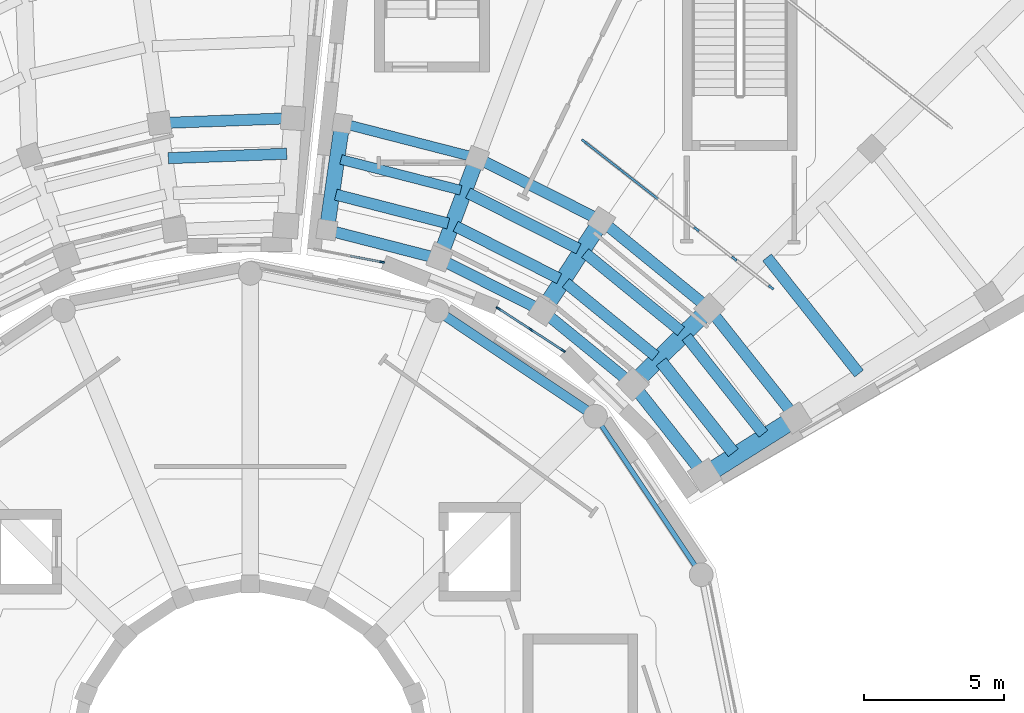
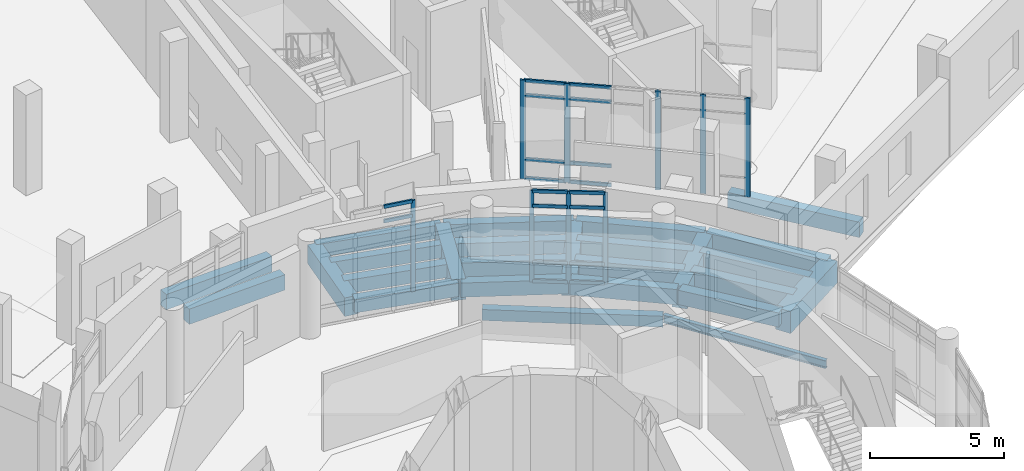
# One storey, part 16 of 49: 27 members, 26 beams, 3 elements without a shape of their own.
"""IFC4 building model written with IfcOpenShell, lengths in metres."""

from ifc_helpers import new_model, si_unit, direction, frame, origin, origin_2d, place, context, subcontext, project, spatial, rectangle, i_section, extrude, material, material_profile, profile_set, type_object, element, aggregate, save


model = new_model("IFC4")

# Units and contexts
model_context = context("Model", 3, precision=1e-05, world=origin(), true_north=direction((0.0, 1.0)))
body_context = subcontext(model_context, "Body", "Model", "MODEL_VIEW")
ifc_project = project(units=[si_unit("LENGTHUNIT", "METRE"), si_unit("AREAUNIT", "SQUARE_METRE"), si_unit("VOLUMEUNIT", "CUBIC_METRE"), si_unit("PLANEANGLEUNIT", "RADIAN"), si_unit("MASSUNIT", "GRAM", prefix="KILO")], contexts=[model_context])

# Site, building, storey
site_placement = place(None, origin())
site = spatial("IfcSite", under=ifc_project, at=site_placement, CompositionType="ELEMENT")
building_placement = place(site_placement, origin())
building = spatial("IfcBuilding", under=site, at=building_placement, Name="Soyqirgoq Riverine Aquarium", CompositionType="ELEMENT")
storey_placement = place(building_placement, frame((0.0, 0.0, 15.0)))
storey = spatial("IfcBuildingStorey", under=building, at=storey_placement, Name="L04", CompositionType="ELEMENT", Elevation=15.0)

# Beams
ifc_material_1 = material(Name="Concrete C40/50", Category="concrete")
ifc_material_profile_1 = material_profile(ifc_material_1, rectangle(XDim=0.35009765625, YDim=0.60009765625, at=origin_2d()), Name="RC 350x600")
ifc_profile_set_1 = profile_set([ifc_material_profile_1], Name="Concrete C40/50")
beam_type_1 = type_object("IfcBeamType", Name="Beam_RC_350x600", PredefinedType="JOIST", material=ifc_profile_set_1)
beam_1_placement = place(storey_placement, frame((63.52734375, 77.421630859375, -0.580078125), z_axis=(-0.968581092825, 0.248697942538, 0.0), x_axis=(-0.248697942538, -0.968581092825, 0.0)))
element("IfcBeam", 1, at=beam_1_placement, inside=storey, type_object=beam_type_1, Name="V5 L04 Secondary Floor Joist 0928", PredefinedType="JOIST", context=body_context, shape_type="SweptSolid", body=[
    extrude(rectangle(XDim=0.35009765625, YDim=0.60009765625, at=origin_2d()), origin(), (0.0, 0.0, 1.0), 4.42431640625),
])
beam_2_placement = place(storey_placement, frame((64.0615234375, 78.588623046875, -0.580078125), z_axis=(-0.968580462417, 0.248700397717, 0.0), x_axis=(-0.248700397717, -0.968580462417, 0.0)))
element("IfcBeam", 2, at=beam_2_placement, inside=storey, type_object=beam_type_1, Name="V5 L04 Wedge Chord Beam 0932", PredefinedType="JOIST", context=body_context, shape_type="SweptSolid", body=[
    extrude(rectangle(XDim=0.35009765625, YDim=0.60009765625, at=origin_2d()), origin(), (0.0, 0.0, 1.0), 4.87890625),
])
ifc_material_2 = material(Name="Concrete C40/50", Category="concrete")
ifc_material_profile_2 = material_profile(ifc_material_2, rectangle(XDim=0.39990234375, YDim=0.60009765625, at=origin_2d()), Name="RC 400x600")
ifc_profile_set_2 = profile_set([ifc_material_profile_2], Name="Concrete C40/50")
beam_type_2 = type_object("IfcBeamType", Name="Beam_RC_400x600", PredefinedType="JOIST", material=ifc_profile_set_2)
beam_3_placement = place(storey_placement, frame((62.70703125, 74.984619140625, -0.580078125), z_axis=(-0.968579337856, 0.248704777354, 0.0), x_axis=(-0.248704777354, -0.968579337856, 0.0)))
element("IfcBeam", 3, at=beam_3_placement, inside=storey, type_object=beam_type_2, Name="V5 L04 Wedge Chord Beam 0920", PredefinedType="JOIST", context=body_context, shape_type="SweptSolid", body=[
    extrude(rectangle(XDim=0.39990234375, YDim=0.60009765625, at=origin_2d()), origin(), (0.0, 0.0, 1.0), 4.04736328125),
])
beam_4_placement = place(storey_placement, frame((67.737060546875, 75.3291015625, -0.580078125), z_axis=(-0.89260992487, 0.450829814923, 0.0), x_axis=(-0.450829814923, -0.89260992487, 0.0)))
element("IfcBeam", 4, at=beam_4_placement, inside=storey, type_object=beam_type_2, Name="V5 L04 Secondary Floor Joist 0926", PredefinedType="JOIST", context=body_context, shape_type="SweptSolid", body=[
    extrude(rectangle(XDim=0.39990234375, YDim=0.60009765625, at=origin_2d()), origin(), (0.0, 0.0, 1.0), 4.42431640625),
])
beam_5_placement = place(storey_placement, frame((63.080322265625, 76.232421875, -0.580078125), z_axis=(-0.96858651554, 0.24867682223, 0.0), x_axis=(-0.24867682223, -0.96858651554, 0.0)))
element("IfcBeam", 5, at=beam_5_placement, inside=storey, type_object=beam_type_2, Name="V5 L04 Secondary Floor Joist 0927", PredefinedType="JOIST", context=body_context, shape_type="SweptSolid", body=[
    extrude(rectangle(XDim=0.39990234375, YDim=0.60009765625, at=origin_2d()), origin(), (0.0, 0.0, 1.0), 4.14990234375),
])
beam_6_placement = place(storey_placement, frame((68.50927734375, 76.35400390625, -0.580078125), z_axis=(-0.892588175526, 0.450872874446, 0.0), x_axis=(-0.450872874446, -0.892588175526, 0.0)))
element("IfcBeam", 6, at=beam_6_placement, inside=storey, type_object=beam_type_2, Name="V5 L04 Wedge Chord Beam 0931", PredefinedType="JOIST", context=body_context, shape_type="SweptSolid", body=[
    extrude(rectangle(XDim=0.39990234375, YDim=0.60009765625, at=origin_2d()), origin(), (0.0, 0.0, 1.0), 4.878662109375),
])
ifc_material_3 = material(Name="Concrete C40/50", Category="concrete")
ifc_material_profile_3 = material_profile(ifc_material_3, rectangle(XDim=0.39990234375, YDim=0.64990234375, at=origin_2d()), Name="RC 400x650")
ifc_profile_set_3 = profile_set([ifc_material_profile_3], Name="Concrete C40/50")
beam_type_3 = type_object("IfcBeamType", Name="Beam_RC_400x650", PredefinedType="BEAM", material=ifc_profile_set_3)
beam_7_placement = place(storey_placement, frame((66.41259765625, 73.125, -0.60498046875), z_axis=(-0.892598018236, 0.45085338841, 0.0), x_axis=(-0.45085338841, -0.892598018236, 0.0)))
element("IfcBeam", 7, at=beam_7_placement, inside=storey, type_object=beam_type_3, Name="V5 L04 Wedge Chord Beam 0919", PredefinedType="BEAM", context=body_context, shape_type="SweptSolid", body=[
    extrude(rectangle(XDim=0.39990234375, YDim=0.64990234375, at=origin_2d()), origin(), (0.0, 0.0, 1.0), 4.047119140625),
])
beam_8_placement = place(storey_placement, frame((71.399169921875, 72.381103515625, -0.60498046875), z_axis=(-0.774944675392, 0.632029073763, 0.0), x_axis=(-0.632029073763, -0.774944675392, 0.0)))
element("IfcBeam", 8, at=beam_8_placement, inside=storey, type_object=beam_type_3, Name="V5 L04 Secondary Floor Joist 0924", PredefinedType="BEAM", context=body_context, shape_type="SweptSolid", body=[
    extrude(rectangle(XDim=0.39990234375, YDim=0.64990234375, at=origin_2d()), origin(), (0.0, 0.0, 1.0), 4.424560546875),
])
beam_9_placement = place(storey_placement, frame((67.044921875, 74.263427734375, -0.60498046875), z_axis=(-0.892584129687, 0.45088088386, 0.0), x_axis=(-0.45088088386, -0.892584129687, 0.0)))
element("IfcBeam", 9, at=beam_9_placement, inside=storey, type_object=beam_type_3, Name="V5 L04 Secondary Floor Joist 0925", PredefinedType="BEAM", context=body_context, shape_type="SweptSolid", body=[
    extrude(rectangle(XDim=0.39990234375, YDim=0.64990234375, at=origin_2d()), origin(), (0.0, 0.0, 1.0), 4.14990234375),
])
beam_10_placement = place(storey_placement, frame((72.37353515625, 73.21630859375, -0.60498046875), z_axis=(-0.77496627639, 0.632002587383, 0.0), x_axis=(-0.632002587383, -0.77496627639, 0.0)))
element("IfcBeam", 10, at=beam_10_placement, inside=storey, type_object=beam_type_3, Name="V5 L04 Wedge Chord Beam 0930", PredefinedType="BEAM", context=body_context, shape_type="SweptSolid", body=[
    extrude(rectangle(XDim=0.39990234375, YDim=0.64990234375, at=origin_2d()), origin(), (0.0, 0.0, 1.0), 4.87890625),
])
ifc_material_4 = material(Name="Concrete C40/50", Category="concrete")
ifc_material_profile_4 = material_profile(ifc_material_4, rectangle(XDim=0.39990234375, YDim=0.699951171875, at=origin_2d()), Name="RC 400x700")
ifc_profile_set_4 = profile_set([ifc_material_profile_4], Name="Concrete C40/50")
beam_type_4 = type_object("IfcBeamType", Name="Beam_RC_400x700", PredefinedType="BEAM", material=ifc_profile_set_4)
beam_11_placement = place(storey_placement, frame((57.303466796875, 78.726318359375, -0.6298828125), z_axis=(-0.999295671654, -0.037525466212, 0.0), x_axis=(0.037525466212, -0.999295671654, 0.0)))
element("IfcBeam", 11, at=beam_11_placement, inside=storey, type_object=beam_type_4, Name="V4 L04 Secondary Floor Joist 0701", PredefinedType="BEAM", context=body_context, shape_type="SweptSolid", body=[
    extrude(rectangle(XDim=0.39990234375, YDim=0.699951171875, at=origin_2d()), origin(), (0.0, 0.0, 1.0), 4.2353515625),
])
beam_12_placement = place(storey_placement, frame((57.4775390625, 79.997314453125, -0.6298828125), z_axis=(-0.999297859951, -0.037467146916, 0.0), x_axis=(0.037467146916, -0.999297859951, 0.0)))
element("IfcBeam", 12, at=beam_12_placement, inside=storey, type_object=beam_type_4, Name="V4 L04 Wedge Chord Beam 0708", PredefinedType="BEAM", context=body_context, shape_type="SweptSolid", body=[
    extrude(rectangle(XDim=0.39990234375, YDim=0.699951171875, at=origin_2d()), origin(), (0.0, 0.0, 1.0), 4.678466796875),
])
beam_13_placement = place(storey_placement, frame((69.632080078125, 70.512939453125, -0.6298828125), z_axis=(-0.774942773491, 0.632031405719, 0.0), x_axis=(-0.632031405719, -0.774942773491, 0.0)))
element("IfcBeam", 13, at=beam_13_placement, inside=storey, type_object=beam_type_4, Name="V5 L04 Wedge Chord Beam 0918", PredefinedType="BEAM", context=body_context, shape_type="SweptSolid", body=[
    extrude(rectangle(XDim=0.39990234375, YDim=0.699951171875, at=origin_2d()), origin(), (0.0, 0.0, 1.0), 4.047119140625),
])
beam_14_placement = place(storey_placement, frame((74.3427734375, 68.715576171875, -0.6298828125), z_axis=(-0.621169249928, 0.783676440213, 0.0), x_axis=(-0.783676440213, -0.621169249928, 0.0)))
element("IfcBeam", 14, at=beam_14_placement, inside=storey, type_object=beam_type_4, Name="V5 L04 Secondary Floor Joist 0922", PredefinedType="BEAM", context=body_context, shape_type="SweptSolid", body=[
    extrude(rectangle(XDim=0.39990234375, YDim=0.699951171875, at=origin_2d()), origin(), (0.0, 0.0, 1.0), 4.42431640625),
])
beam_15_placement = place(storey_placement, frame((70.494384765625, 71.489013671875, -0.6298828125), z_axis=(-0.774939332503, 0.63203562474, 0.0), x_axis=(-0.63203562474, -0.774939332503, 0.0)))
element("IfcBeam", 15, at=beam_15_placement, inside=storey, type_object=beam_type_4, Name="V5 L04 Secondary Floor Joist 0923", PredefinedType="BEAM", context=body_context, shape_type="SweptSolid", body=[
    extrude(rectangle(XDim=0.39990234375, YDim=0.699951171875, at=origin_2d()), origin(), (0.0, 0.0, 1.0), 4.149658203125),
])
beam_16_placement = place(storey_placement, frame((75.4736328125, 69.322021484375, -0.6298828125), z_axis=(-0.62112455544, 0.783711864546, 0.0), x_axis=(-0.783711864546, -0.62112455544, 0.0)))
element("IfcBeam", 16, at=beam_16_placement, inside=storey, type_object=beam_type_4, Name="V5 L04 Wedge Chord Beam 0929", PredefinedType="BEAM", context=body_context, shape_type="SweptSolid", body=[
    extrude(rectangle(XDim=0.39990234375, YDim=0.699951171875, at=origin_2d()), origin(), (0.0, 0.0, 1.0), 4.878662109375),
])
beam_17_placement = place(storey_placement, frame((77.7626953125, 70.869140625, -0.6298828125), z_axis=(-0.621170302236, 0.783675606115, 0.0), x_axis=(-0.783675606115, -0.621170302236, 0.0)))
element("IfcBeam", 17, at=beam_17_placement, inside=storey, type_object=beam_type_4, Name="V5 L04 Secondary Floor Joist 0933", PredefinedType="BEAM", context=body_context, shape_type="SweptSolid", body=[
    extrude(rectangle(XDim=0.39990234375, YDim=0.699951171875, at=origin_2d()), origin(), (0.0, 0.0, 1.0), 5.29736328125),
])
ifc_material_5 = material(Name="Concrete C40/50", Category="concrete")
ifc_material_profile_5 = material_profile(ifc_material_5, rectangle(XDim=0.449951171875, YDim=0.64990234375, at=origin_2d()), Name="RC 450x650")
ifc_profile_set_5 = profile_set([ifc_material_profile_5], Name="Concrete C40/50")
beam_type_5 = type_object("IfcBeamType", Name="Beam_RC_450x650", PredefinedType="BEAM", material=ifc_profile_set_5)
beam_18_placement = place(storey_placement, frame((72.2158203125, 67.2705078125, -0.60498046875), z_axis=(-0.621164833429, 0.783679940863, 0.0), x_axis=(-0.783679940863, -0.621164833429, 0.0)))
element("IfcBeam", 18, at=beam_18_placement, inside=storey, type_object=beam_type_5, Name="V5 L04 Wedge Chord Beam 0917", PredefinedType="BEAM", context=body_context, shape_type="SweptSolid", body=[
    extrude(rectangle(XDim=0.449951171875, YDim=0.64990234375, at=origin_2d()), origin(), (0.0, 0.0, 1.0), 4.047119140625),
])
beam_19_placement = place(storey_placement, frame((73.267578125, 68.03857421875, -0.60498046875), z_axis=(-0.621144365727, 0.783696163653, 0.0), x_axis=(-0.783696163653, -0.621144365727, 0.0)))
element("IfcBeam", 19, at=beam_19_placement, inside=storey, type_object=beam_type_5, Name="V5 L04 Secondary Floor Joist 0921", PredefinedType="BEAM", context=body_context, shape_type="SweptSolid", body=[
    extrude(rectangle(XDim=0.449951171875, YDim=0.64990234375, at=origin_2d()), origin(), (0.0, 0.0, 1.0), 4.14990234375),
])

# Curtain wall, members
ifc_material_6 = material(Name="Anodised aluminium thermally broken double low-E glazing", Category="aluminium")
curtain_wall_type_1 = type_object("IfcCurtainWallType", Name="CW_Wedge_NorthBay", PredefinedType="NOTDEFINED", material=ifc_material_6)
curtain_wall_1_placement = place(storey_placement, origin())
curtain_wall_1 = element("IfcCurtainWall", 20, at=curtain_wall_1_placement, inside=storey, type_object=curtain_wall_type_1, Name="V5 L04 Curtain Wall 099", PredefinedType="NOTDEFINED")
ifc_material_7 = material(Name="Anodised aluminium 6063-T6", Category="aluminium")
ifc_material_profile_6 = material_profile(ifc_material_7, rectangle(XDim=0.06494140625, YDim=0.179931640625, at=origin_2d()), Name="ALU-M 65x180")
ifc_profile_set_6 = profile_set([ifc_material_profile_6], Name="Anodised aluminium 6063-T6")
member_type_1 = type_object("IfcMemberType", Name="CWMullion_65x180", PredefinedType="MULLION", material=ifc_profile_set_6)
member_1_placement = place(storey_placement, frame((67.18310546875, 71.69287109375, 0.0), z_axis=(0.0, 0.0, 1.0), x_axis=(-0.544612897875, -0.838687541024, 0.0)))
member_1 = element("IfcMember", 21, at=member_1_placement, type_object=member_type_1, Name="CW-03 mullion 1", PredefinedType="MULLION", context=body_context, shape_type="SweptSolid", body=[
    extrude(rectangle(XDim=0.06494140625, YDim=0.179931640625, at=origin_2d()), origin(), (0.0, 0.0, 1.0), 4.169921875),
])
member_2_placement = place(storey_placement, frame((66.028564453125, 72.442626953125, 0.0), z_axis=(0.0, 0.0, 1.0), x_axis=(-0.544612897875, -0.838687541024, 0.0)))
member_2 = element("IfcMember", 22, at=member_2_placement, type_object=member_type_1, Name="CW-03 mullion 2", PredefinedType="MULLION", context=body_context, shape_type="SweptSolid", body=[
    extrude(rectangle(XDim=0.06494140625, YDim=0.179931640625, at=origin_2d()), origin(), (0.0, 0.0, 1.0), 4.169921875),
])
member_3_placement = place(storey_placement, frame((64.8740234375, 73.1923828125, 0.0), z_axis=(0.0, 0.0, 1.0), x_axis=(-0.544612897875, -0.838687541024, 0.0)))
member_3 = element("IfcMember", 23, at=member_3_placement, type_object=member_type_1, Name="CW-03 mullion 3", PredefinedType="MULLION", context=body_context, shape_type="SweptSolid", body=[
    extrude(rectangle(XDim=0.06494140625, YDim=0.179931640625, at=origin_2d()), origin(), (0.0, 0.0, 1.0), 4.169921875),
])

# Curtain wall, member
curtain_wall_2_placement = place(storey_placement, origin())
curtain_wall_2 = element("IfcCurtainWall", 24, at=curtain_wall_2_placement, inside=storey, type_object=curtain_wall_type_1, Name="V5 L04 Curtain Wall 100", PredefinedType="NOTDEFINED")
member_4_placement = place(storey_placement, frame((60.709228515625, 74.8544921875, 0.0), z_axis=(0.0, 0.0, 1.0), x_axis=(-0.187684047551, -0.982229452977, 0.0)))
member_4 = element("IfcMember", 25, at=member_4_placement, type_object=member_type_1, Name="CW-03 mullion 1", PredefinedType="MULLION", context=body_context, shape_type="SweptSolid", body=[
    extrude(rectangle(XDim=0.06494140625, YDim=0.179931640625, at=origin_2d()), origin(), (0.0, 0.0, 1.0), 4.169921875),
])

# Curtain wall, members
ifc_material_8 = material(Name="Cast polymethyl methacrylate PMMA Habitat Viewing Glazing", Category="glass")
curtain_wall_type_2 = type_object("IfcCurtainWallType", Name="CW_Interior_TankVitrine", PredefinedType="NOTDEFINED", material=ifc_material_8)
curtain_wall_3_placement = place(storey_placement, origin())
curtain_wall_3 = element("IfcCurtainWall", 26, at=curtain_wall_3_placement, inside=storey, type_object=curtain_wall_type_2, Name="V5 L04 Curtain Wall 163", PredefinedType="NOTDEFINED")
ifc_material_9 = material(Name="Anodised aluminium 6063-T6", Category="aluminium")
ifc_material_profile_7 = material_profile(ifc_material_9, rectangle(XDim=0.080078125, YDim=0.219970703125, at=origin_2d()), Name="ALU-M 80x220")
ifc_profile_set_7 = profile_set([ifc_material_profile_7], Name="Anodised aluminium 6063-T6")
member_type_2 = type_object("IfcMemberType", Name="CWMullion_80x220", PredefinedType="MULLION", material=ifc_profile_set_7)
member_5_placement = place(storey_placement, frame((74.616943359375, 73.9482421875, 0.0), z_axis=(0.0, 0.0, 1.0), x_axis=(-0.615661060826, -0.788011077449, 0.0)))
member_5 = element("IfcMember", 27, at=member_5_placement, type_object=member_type_2, Name="CW-07 mullion 1", PredefinedType="MULLION", context=body_context, shape_type="SweptSolid", body=[
    extrude(rectangle(XDim=0.080078125, YDim=0.219970703125, at=origin_2d()), origin(), (0.0, 0.0, 1.0), 4.52001953125),
])
member_6_placement = place(storey_placement, frame((73.300537109375, 74.976806640625, 0.0), z_axis=(0.0, 0.0, 1.0), x_axis=(-0.615661060826, -0.788011077449, 0.0)))
member_6 = element("IfcMember", 28, at=member_6_placement, type_object=member_type_2, Name="CW-07 mullion 2", PredefinedType="MULLION", context=body_context, shape_type="SweptSolid", body=[
    extrude(rectangle(XDim=0.080078125, YDim=0.219970703125, at=origin_2d()), origin(), (0.0, 0.0, 1.0), 4.52001953125),
])
member_7_placement = place(storey_placement, frame((71.952880859375, 76.02978515625, 0.0), z_axis=(0.0, 0.0, 1.0), x_axis=(-0.615661060826, -0.788011077449, 0.0)))
member_7 = element("IfcMember", 29, at=member_7_placement, type_object=member_type_2, Name="CW-07 mullion 3", PredefinedType="MULLION", context=body_context, shape_type="SweptSolid", body=[
    extrude(rectangle(XDim=0.080078125, YDim=0.219970703125, at=origin_2d()), origin(), (0.0, 0.0, 1.0), 4.52001953125),
])
member_8_placement = place(storey_placement, frame((69.25732421875, 78.1357421875, 0.0), z_axis=(0.0, 0.0, 1.0), x_axis=(-0.615661060826, -0.788011077449, 0.0)))
member_8 = element("IfcMember", 30, at=member_8_placement, type_object=member_type_2, Name="CW-07 mullion 5", PredefinedType="MULLION", context=body_context, shape_type="SweptSolid", body=[
    extrude(rectangle(XDim=0.080078125, YDim=0.219970703125, at=origin_2d()), origin(), (0.0, 0.0, 1.0), 4.52001953125),
])
member_9_placement = place(storey_placement, frame((67.94091796875, 79.1640625, 0.0), z_axis=(0.0, 0.0, 1.0), x_axis=(-0.615661060826, -0.788011077449, 0.0)))
member_9 = element("IfcMember", 31, at=member_9_placement, type_object=member_type_2, Name="CW-07 mullion 6", PredefinedType="MULLION", context=body_context, shape_type="SweptSolid", body=[
    extrude(rectangle(XDim=0.080078125, YDim=0.219970703125, at=origin_2d()), origin(), (0.0, 0.0, 1.0), 4.52001953125),
])

# Member
ifc_material_10 = material(Name="Anodised aluminium 6063-T6", Category="aluminium")
ifc_material_profile_8 = material_profile(ifc_material_10, rectangle(XDim=0.074951171875, YDim=0.14990234375, at=origin_2d()), Name="ALU-T 75x150")
ifc_profile_set_8 = profile_set([ifc_material_profile_8], Name="Anodised aluminium 6063-T6")
member_type_3 = type_object("IfcMemberType", Name="CWTransom_75x150", PredefinedType="USERDEFINED", material=ifc_profile_set_8)
member_10_placement = place(storey_placement, frame((67.156005859375, 71.710693359375, 0.03759765625), z_axis=(-0.838690173808, 0.544608843445, 0.0), x_axis=(-0.544608843445, -0.838690173808, 0.0)))
member_10 = element("IfcMember", 32, at=member_10_placement, type_object=member_type_3, Name="CW-03 transom 1.1", ObjectType="TRANSOM", PredefinedType="USERDEFINED", context=body_context, shape_type="SweptSolid", body=[
    extrude(rectangle(XDim=0.074951171875, YDim=0.14990234375, at=origin_2d()), origin(), (0.0, 0.0, 1.0), 1.311767578125),
])

member_11_placement = place(storey_placement, frame((67.156005859375, 71.710693359375, 0.89990234375), z_axis=(-0.838690173808, 0.544608843445, 0.0), x_axis=(-0.544608843445, -0.838690173808, 0.0)))
member_11 = element("IfcMember", 33, at=member_11_placement, type_object=member_type_3, Name="CW-03 transom 1.2", ObjectType="TRANSOM", PredefinedType="USERDEFINED", context=body_context, shape_type="SweptSolid", body=[
    extrude(rectangle(XDim=0.074951171875, YDim=0.14990234375, at=origin_2d()), origin(), (0.0, 0.0, 1.0), 1.311767578125),
])

member_12_placement = place(storey_placement, frame((67.156005859375, 71.710693359375, 3.469970703125), z_axis=(-0.838690173808, 0.544608843445, 0.0), x_axis=(-0.544608843445, -0.838690173808, 0.0)))
member_12 = element("IfcMember", 34, at=member_12_placement, type_object=member_type_3, Name="CW-03 transom 1.3", ObjectType="TRANSOM", PredefinedType="USERDEFINED", context=body_context, shape_type="SweptSolid", body=[
    extrude(rectangle(XDim=0.074951171875, YDim=0.14990234375, at=origin_2d()), origin(), (0.0, 0.0, 1.0), 1.311767578125),
])

member_13_placement = place(storey_placement, frame((67.156005859375, 71.710693359375, 4.132568359375), z_axis=(-0.838690173808, 0.544608843445, 0.0), x_axis=(-0.544608843445, -0.838690173808, 0.0)))
member_13 = element("IfcMember", 35, at=member_13_placement, type_object=member_type_3, Name="CW-03 transom 1.4", ObjectType="TRANSOM", PredefinedType="USERDEFINED", context=body_context, shape_type="SweptSolid", body=[
    extrude(rectangle(XDim=0.074951171875, YDim=0.14990234375, at=origin_2d()), origin(), (0.0, 0.0, 1.0), 1.311767578125),
])

member_14_placement = place(storey_placement, frame((66.001220703125, 72.46044921875, 0.03759765625), z_axis=(-0.838690173808, 0.544608843445, 0.0), x_axis=(-0.544608843445, -0.838690173808, 0.0)))
member_14 = element("IfcMember", 36, at=member_14_placement, type_object=member_type_3, Name="CW-03 transom 2.1", ObjectType="TRANSOM", PredefinedType="USERDEFINED", context=body_context, shape_type="SweptSolid", body=[
    extrude(rectangle(XDim=0.074951171875, YDim=0.14990234375, at=origin_2d()), origin(), (0.0, 0.0, 1.0), 1.311767578125),
])

member_15_placement = place(storey_placement, frame((66.001220703125, 72.46044921875, 0.89990234375), z_axis=(-0.838690173808, 0.544608843445, 0.0), x_axis=(-0.544608843445, -0.838690173808, 0.0)))
member_15 = element("IfcMember", 37, at=member_15_placement, type_object=member_type_3, Name="CW-03 transom 2.2", ObjectType="TRANSOM", PredefinedType="USERDEFINED", context=body_context, shape_type="SweptSolid", body=[
    extrude(rectangle(XDim=0.074951171875, YDim=0.14990234375, at=origin_2d()), origin(), (0.0, 0.0, 1.0), 1.311767578125),
])

member_16_placement = place(storey_placement, frame((66.001220703125, 72.46044921875, 3.469970703125), z_axis=(-0.838690173808, 0.544608843445, 0.0), x_axis=(-0.544608843445, -0.838690173808, 0.0)))
member_16 = element("IfcMember", 38, at=member_16_placement, type_object=member_type_3, Name="CW-03 transom 2.3", ObjectType="TRANSOM", PredefinedType="USERDEFINED", context=body_context, shape_type="SweptSolid", body=[
    extrude(rectangle(XDim=0.074951171875, YDim=0.14990234375, at=origin_2d()), origin(), (0.0, 0.0, 1.0), 1.311767578125),
])

member_17_placement = place(storey_placement, frame((66.001220703125, 72.46044921875, 4.132568359375), z_axis=(-0.838690173808, 0.544608843445, 0.0), x_axis=(-0.544608843445, -0.838690173808, 0.0)))
member_17 = element("IfcMember", 39, at=member_17_placement, type_object=member_type_3, Name="CW-03 transom 2.4", ObjectType="TRANSOM", PredefinedType="USERDEFINED", context=body_context, shape_type="SweptSolid", body=[
    extrude(rectangle(XDim=0.074951171875, YDim=0.14990234375, at=origin_2d()), origin(), (0.0, 0.0, 1.0), 1.311767578125),
])

aggregate(curtain_wall_1, [member_1, member_2, member_3, member_10, member_11, member_12, member_13, member_14, member_15, member_16, member_17])

member_18_placement = place(storey_placement, frame((60.67724609375, 74.860595703125, 3.469970703125), z_axis=(-0.982228879819, 0.187687047099, 0.0), x_axis=(-0.187687047099, -0.982228879819, 0.0)))
member_18 = element("IfcMember", 40, at=member_18_placement, type_object=member_type_3, Name="CW-03 transom 1.3", ObjectType="TRANSOM", PredefinedType="USERDEFINED", context=body_context, shape_type="SweptSolid", body=[
    extrude(rectangle(XDim=0.074951171875, YDim=0.14990234375, at=origin_2d()), origin(), (0.0, 0.0, 1.0), 1.131591796875),
])

member_19_placement = place(storey_placement, frame((60.67724609375, 74.860595703125, 4.132568359375), z_axis=(-0.982228879819, 0.187687047099, 0.0), x_axis=(-0.187687047099, -0.982228879819, 0.0)))
member_19 = element("IfcMember", 41, at=member_19_placement, type_object=member_type_3, Name="CW-03 transom 1.4", ObjectType="TRANSOM", PredefinedType="USERDEFINED", context=body_context, shape_type="SweptSolid", body=[
    extrude(rectangle(XDim=0.074951171875, YDim=0.14990234375, at=origin_2d()), origin(), (0.0, 0.0, 1.0), 1.131591796875),
])

aggregate(curtain_wall_2, [member_4, member_18, member_19])

member_20_placement = place(storey_placement, frame((70.573486328125, 77.107421875, 0.03759765625), z_axis=(-0.788019832869, 0.615649854223, 0.0), x_axis=(-0.615649854223, -0.788019832869, 0.0)))
member_20 = element("IfcMember", 42, at=member_20_placement, type_object=member_type_3, Name="CW-07 transom 4.1", ObjectType="TRANSOM", PredefinedType="USERDEFINED", context=body_context, shape_type="SweptSolid", body=[
    extrude(rectangle(XDim=0.074951171875, YDim=0.14990234375, at=origin_2d()), origin(), (0.0, 0.0, 1.0), 1.630126953125),
])

member_21_placement = place(storey_placement, frame((70.573486328125, 77.107421875, 0.89990234375), z_axis=(-0.788019832869, 0.615649854223, 0.0), x_axis=(-0.615649854223, -0.788019832869, 0.0)))
member_21 = element("IfcMember", 43, at=member_21_placement, type_object=member_type_3, Name="CW-07 transom 4.2", ObjectType="TRANSOM", PredefinedType="USERDEFINED", context=body_context, shape_type="SweptSolid", body=[
    extrude(rectangle(XDim=0.074951171875, YDim=0.14990234375, at=origin_2d()), origin(), (0.0, 0.0, 1.0), 1.630126953125),
])

member_22_placement = place(storey_placement, frame((70.573486328125, 77.107421875, 3.820068359375), z_axis=(-0.788019832869, 0.615649854223, 0.0), x_axis=(-0.615649854223, -0.788019832869, 0.0)))
member_22 = element("IfcMember", 44, at=member_22_placement, type_object=member_type_3, Name="CW-07 transom 4.3", ObjectType="TRANSOM", PredefinedType="USERDEFINED", context=body_context, shape_type="SweptSolid", body=[
    extrude(rectangle(XDim=0.074951171875, YDim=0.14990234375, at=origin_2d()), origin(), (0.0, 0.0, 1.0), 1.630126953125),
])

member_23_placement = place(storey_placement, frame((70.573486328125, 77.107421875, 4.482421875), z_axis=(-0.788019832869, 0.615649854223, 0.0), x_axis=(-0.615649854223, -0.788019832869, 0.0)))
member_23 = element("IfcMember", 45, at=member_23_placement, type_object=member_type_3, Name="CW-07 transom 4.4", ObjectType="TRANSOM", PredefinedType="USERDEFINED", context=body_context, shape_type="SweptSolid", body=[
    extrude(rectangle(XDim=0.074951171875, YDim=0.14990234375, at=origin_2d()), origin(), (0.0, 0.0, 1.0), 1.630126953125),
])

member_24_placement = place(storey_placement, frame((69.225830078125, 78.160400390625, 0.03759765625), z_axis=(-0.788036011203, 0.615629145709, 0.0), x_axis=(-0.615629145709, -0.788036011203, 0.0)))
member_24 = element("IfcMember", 46, at=member_24_placement, type_object=member_type_3, Name="CW-07 transom 5.1", ObjectType="TRANSOM", PredefinedType="USERDEFINED", context=body_context, shape_type="SweptSolid", body=[
    extrude(rectangle(XDim=0.074951171875, YDim=0.14990234375, at=origin_2d()), origin(), (0.0, 0.0, 1.0), 1.59033203125),
])

member_25_placement = place(storey_placement, frame((69.225830078125, 78.160400390625, 0.89990234375), z_axis=(-0.788036011203, 0.615629145709, 0.0), x_axis=(-0.615629145709, -0.788036011203, 0.0)))
member_25 = element("IfcMember", 47, at=member_25_placement, type_object=member_type_3, Name="CW-07 transom 5.2", ObjectType="TRANSOM", PredefinedType="USERDEFINED", context=body_context, shape_type="SweptSolid", body=[
    extrude(rectangle(XDim=0.074951171875, YDim=0.14990234375, at=origin_2d()), origin(), (0.0, 0.0, 1.0), 1.59033203125),
])

member_26_placement = place(storey_placement, frame((69.225830078125, 78.160400390625, 3.820068359375), z_axis=(-0.788036011203, 0.615629145709, 0.0), x_axis=(-0.615629145709, -0.788036011203, 0.0)))
member_26 = element("IfcMember", 48, at=member_26_placement, type_object=member_type_3, Name="CW-07 transom 5.3", ObjectType="TRANSOM", PredefinedType="USERDEFINED", context=body_context, shape_type="SweptSolid", body=[
    extrude(rectangle(XDim=0.074951171875, YDim=0.14990234375, at=origin_2d()), origin(), (0.0, 0.0, 1.0), 1.59033203125),
])

member_27_placement = place(storey_placement, frame((69.225830078125, 78.160400390625, 4.482421875), z_axis=(-0.788036011203, 0.615629145709, 0.0), x_axis=(-0.615629145709, -0.788036011203, 0.0)))
member_27 = element("IfcMember", 49, at=member_27_placement, type_object=member_type_3, Name="CW-07 transom 5.4", ObjectType="TRANSOM", PredefinedType="USERDEFINED", context=body_context, shape_type="SweptSolid", body=[
    extrude(rectangle(XDim=0.074951171875, YDim=0.14990234375, at=origin_2d()), origin(), (0.0, 0.0, 1.0), 1.59033203125),
])

aggregate(curtain_wall_3, [member_5, member_6, member_7, member_8, member_9, member_20, member_21, member_22, member_23, member_24, member_25, member_26, member_27])

# Beams
ifc_material_11 = material(Name="Concrete C40/50", Category="concrete")
ifc_material_profile_9 = material_profile(ifc_material_11, rectangle(XDim=0.550048828125, YDim=0.85009765625, at=origin_2d()), Name="RC 550x850")
ifc_profile_set_9 = profile_set([ifc_material_profile_9], Name="Concrete C40/50")
beam_type_6 = type_object("IfcBeamType", Name="Girder_RC_550x850", PredefinedType="BEAM", material=ifc_profile_set_9)
beam_20_placement = place(storey_placement, frame((58.74560546875, 76.05322265625, -0.705078125), z_axis=(0.142642597363, 0.989774261848, 0.0), x_axis=(-0.989774261848, 0.142642597363, 0.0)))
element("IfcBeam", 50, at=beam_20_placement, inside=storey, type_object=beam_type_6, Name="V5 L04 Wedge Radial Girder 0915", PredefinedType="BEAM", context=body_context, shape_type="SweptSolid", body=[
    extrude(rectangle(XDim=0.550048828125, YDim=0.85009765625, at=origin_2d()), origin(), (0.0, 0.0, 1.0), 3.75),
])
ifc_material_12 = material(Name="Concrete C40/50", Category="concrete")
ifc_material_profile_10 = material_profile(ifc_material_12, rectangle(XDim=0.550048828125, YDim=0.949951171875, at=origin_2d()), Name="RC 550x950")
ifc_profile_set_10 = profile_set([ifc_material_profile_10], Name="Concrete C40/50")
beam_type_7 = type_object("IfcBeamType", Name="Girder_RC_550x950", PredefinedType="BEAM", material=ifc_profile_set_10)
beam_21_placement = place(storey_placement, frame((62.77294921875, 75.01904296875, -0.7548828125), z_axis=(0.351822543862, 0.936066716442, 0.0), x_axis=(-0.936066716442, 0.351822543862, 0.0)))
element("IfcBeam", 51, at=beam_21_placement, inside=storey, type_object=beam_type_7, Name="V5 L04 Wedge Radial Girder 0912", PredefinedType="BEAM", context=body_context, shape_type="SweptSolid", body=[
    extrude(rectangle(XDim=0.550048828125, YDim=0.949951171875, at=origin_2d()), origin(), (0.0, 0.0, 1.0), 3.75),
])
ifc_material_13 = material(Name="Concrete C40/50", Category="concrete")
ifc_material_profile_11 = material_profile(ifc_material_13, rectangle(XDim=0.60009765625, YDim=1.0, at=origin_2d()), Name="RC 600x1000")
ifc_profile_set_11 = profile_set([ifc_material_profile_11], Name="Concrete C40/50")
beam_type_8 = type_object("IfcBeamType", Name="Girder_RC_600x1000", PredefinedType="BEAM", material=ifc_profile_set_11)
beam_22_placement = place(storey_placement, frame((69.70654296875, 70.516357421875, -0.780029296875), z_axis=(0.712037338503, 0.702141601514, 0.0), x_axis=(-0.702141601514, 0.712037338503, 0.0)))
element("IfcBeam", 52, at=beam_22_placement, inside=storey, type_object=beam_type_8, Name="V5 L04 Wedge Radial Girder 0906", PredefinedType="BEAM", context=body_context, shape_type="SweptSolid", body=[
    extrude(rectangle(XDim=0.60009765625, YDim=1.0, at=origin_2d()), origin(), (0.0, 0.0, 1.0), 3.75),
])
ifc_material_14 = material(Name="Concrete C40/50", Category="concrete")
ifc_material_profile_12 = material_profile(ifc_material_14, rectangle(XDim=0.60009765625, YDim=0.89990234375, at=origin_2d()), Name="RC 600x900")
ifc_profile_set_12 = profile_set([ifc_material_profile_12], Name="Concrete C40/50")
beam_type_9 = type_object("IfcBeamType", Name="Girder_RC_600x900", PredefinedType="BEAM", material=ifc_profile_set_12)
beam_23_placement = place(storey_placement, frame((66.484375, 73.144287109375, -0.72998046875), z_axis=(0.544578680372, 0.838709759621, 0.0), x_axis=(-0.838709759621, 0.544578680372, 0.0)))
element("IfcBeam", 53, at=beam_23_placement, inside=storey, type_object=beam_type_9, Name="V5 L04 Wedge Radial Girder 0910", PredefinedType="BEAM", context=body_context, shape_type="SweptSolid", body=[
    extrude(rectangle(XDim=0.60009765625, YDim=0.89990234375, at=origin_2d()), origin(), (0.0, 0.0, 1.0), 3.75),
])
ifc_material_15 = material(Name="Concrete C40/50", Category="concrete")
ifc_material_profile_13 = material_profile(ifc_material_15, rectangle(XDim=0.64990234375, YDim=1.0, at=origin_2d()), Name="RC 650x1000")
ifc_profile_set_13 = profile_set([ifc_material_profile_13], Name="Concrete C40/50")
beam_type_10 = type_object("IfcBeamType", Name="Girder_RC_650x1000", PredefinedType="BEAM", material=ifc_profile_set_13)
beam_24_placement = place(storey_placement, frame((72.289306640625, 67.2578125, -0.780029296875), z_axis=(0.846182823689, 0.53289269923, 0.0), x_axis=(-0.53289269923, 0.846182823689, 0.0)))
element("IfcBeam", 54, at=beam_24_placement, inside=storey, type_object=beam_type_10, Name="V5 L04 Wedge Radial Girder 0902", PredefinedType="BEAM", context=body_context, shape_type="SweptSolid", body=[
    extrude(rectangle(XDim=0.64990234375, YDim=1.0, at=origin_2d()), origin(), (0.0, 0.0, 1.0), 3.75),
])
ifc_material_16 = material(Name="Concrete C40/50", Category="concrete")
ifc_material_profile_14 = material_profile(ifc_material_16, rectangle(XDim=0.35009765625, YDim=0.5, at=origin_2d()), Name="RC 350x500")
ifc_profile_set_14 = profile_set([ifc_material_profile_14], Name="Concrete C40/50")
beam_type_11 = type_object("IfcBeamType", Name="Spandrel_RC_350x500", PredefinedType="SPANDREL", material=ifc_profile_set_14)
beam_25_placement = place(storey_placement, frame((68.322509765625, 69.35009765625, -0.60009765625), z_axis=(-0.83147831173, 0.555557213186, 0.0), x_axis=(-0.555557213186, -0.83147831173, 0.0)))
element("IfcBeam", 55, at=beam_25_placement, inside=storey, type_object=beam_type_11, Name="V1 L04 Drum Spandrel Beam 0091", PredefinedType="SPANDREL", context=body_context, shape_type="SweptSolid", body=[
    extrude(rectangle(XDim=0.35009765625, YDim=0.5, at=origin_2d()), origin(), (0.0, 0.0, 1.0), 6.768798828125),
])
ifc_material_17 = material(Name="Structural steel S355", Category="steel")
ifc_material_profile_15 = material_profile(ifc_material_17, i_section(OverallWidth=0.169921875, OverallDepth=0.360107421875, WebThickness=0.008056640625, FlangeThickness=0.0126953125, FilletRadius=0.01806640625, at=origin_2d()), Name="IPE 360")
ifc_profile_set_15 = profile_set([ifc_material_profile_15], Name="Structural steel S355")
beam_type_12 = type_object("IfcBeamType", Name="Spandrel_Steel_IPE360", PredefinedType="SPANDREL", material=ifc_profile_set_15)
beam_26_placement = place(storey_placement, frame((72.110595703125, 63.6943359375, -0.530029296875), z_axis=(-0.555557213186, 0.83147831173, 0.0), x_axis=(-0.83147831173, -0.555557213186, 0.0)))
element("IfcBeam", 56, at=beam_26_placement, inside=storey, type_object=beam_type_12, Name="V1 L04 Drum Spandrel Beam 0090", PredefinedType="SPANDREL", context=body_context, shape_type="SweptSolid", body=[
    extrude(i_section(OverallWidth=0.169921875, OverallDepth=0.360107421875, WebThickness=0.008056640625, FlangeThickness=0.0126953125, FilletRadius=0.01806640625, at=origin_2d()), origin(), (0.0, 0.0, 1.0), 6.768798828125),
])

save(model, "model.ifc")
